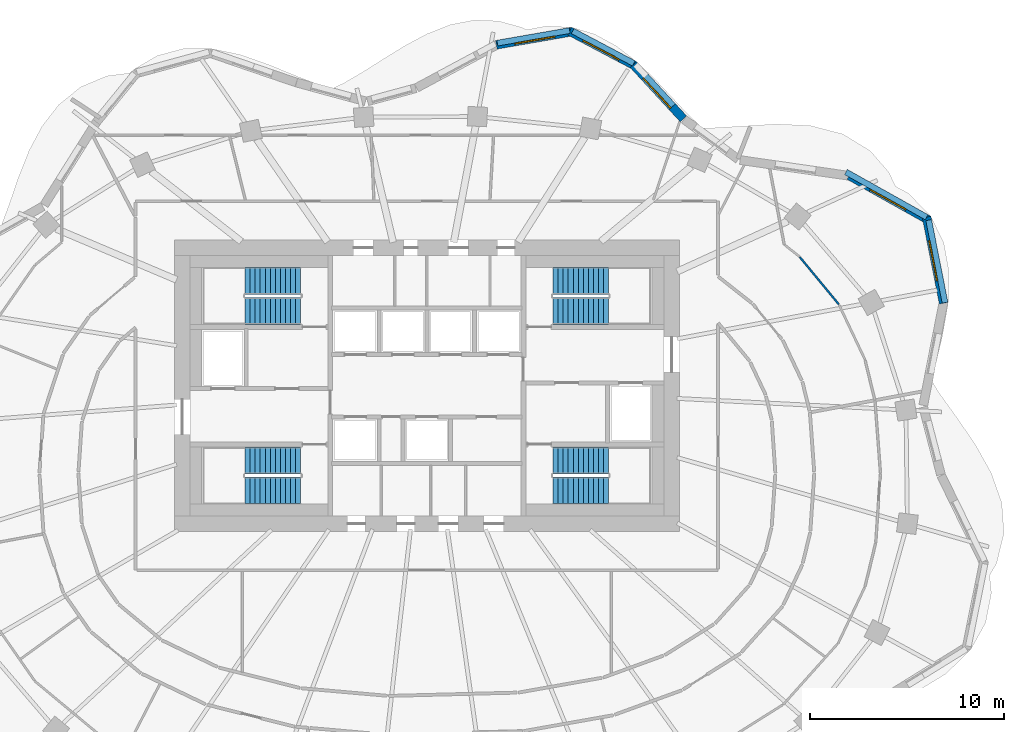
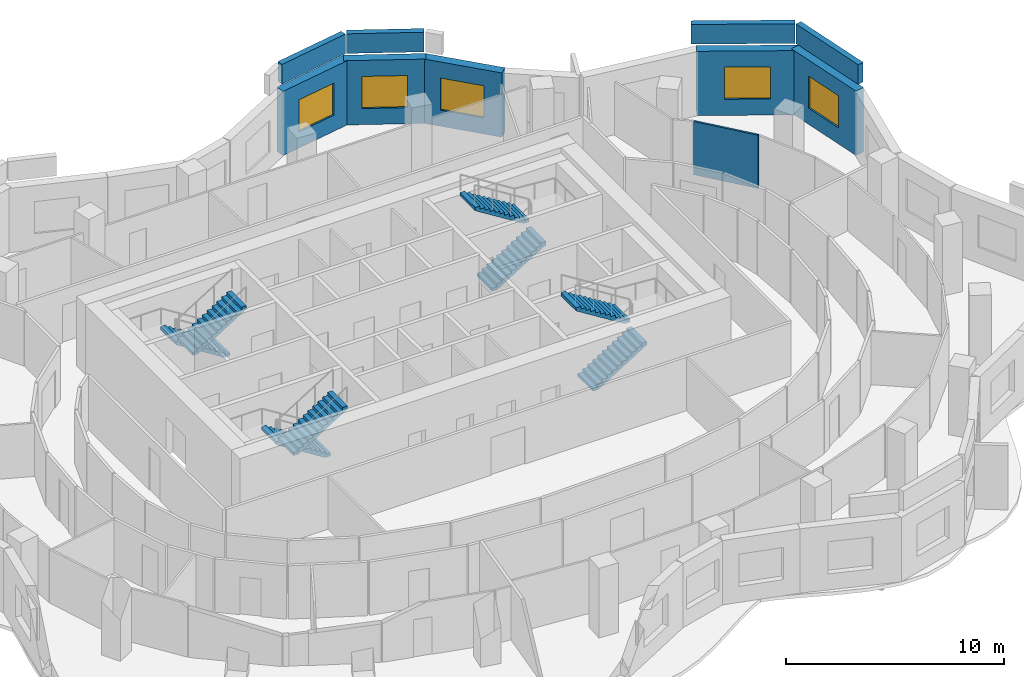
# One storey, part 9 of 10: 10 walls, 8 stair flights, 5 windows, 5 openings, 4 elements without a shape of their own.
"""IFC4 building model written with IfcOpenShell, lengths in metres."""

from ifc_helpers import new_model, si_unit, direction, frame, frame_2d, origin, place, context, subcontext, project, spatial, polyline, rectangle, outline, extrude, material, layer, layer_set, type_object, element, fill, aggregate, save


model = new_model("IFC4")

# Units and contexts
model_context = context("Model", 3, precision=1e-05, world=origin(), true_north=direction((0.0, 1.0)))
body_context = subcontext(model_context, "Body", "Model", "MODEL_VIEW")
ifc_project = project(units=[si_unit("LENGTHUNIT", "METRE"), si_unit("AREAUNIT", "SQUARE_METRE"), si_unit("VOLUMEUNIT", "CUBIC_METRE"), si_unit("PLANEANGLEUNIT", "RADIAN"), si_unit("MASSUNIT", "GRAM", prefix="KILO")], contexts=[model_context])

# Site, building, storey
site_placement = place(None, origin())
site = spatial("IfcSite", under=ifc_project, at=site_placement, CompositionType="ELEMENT")
building_placement = place(site_placement, origin())
building = spatial("IfcBuilding", under=site, at=building_placement, Name="Rubra Terraces Tower", CompositionType="ELEMENT")
storey_placement = place(building_placement, frame((0.0, 0.0, 213.0)))
storey = spatial("IfcBuildingStorey", under=building, at=storey_placement, Name="L52", CompositionType="ELEMENT", Elevation=213.0)

# Wall, opening, window
ifc_material_1 = material(Name="Brick masonry red-brown", Category="masonry")
ifc_layer_1 = layer(ifc_material_1, 0.449951171875)
ifc_layer_set_1 = layer_set([ifc_layer_1], Name="Brick masonry red-brown")
wall_type_1 = type_object("IfcWallType", Name="Brick facade wall 450", PredefinedType="SOLIDWALL", material=ifc_layer_set_1)
wall_1_placement = place(storey_placement, frame((26.609619140625, 8.747802734375, 0.0), z_axis=(0.0, 0.0, 1.0), x_axis=(-0.193923166402, 0.981016720312, 0.0)))
wall_1 = element("IfcWall", 1, at=wall_1_placement, inside=storey, type_object=wall_type_1, Name="Facade wall L52 bay 3", PredefinedType="SOLIDWALL", context=body_context, shape_type="SweptSolid", body=[
    extrude(rectangle(XDim=4.518310546875, YDim=0.449951171875, at=frame_2d((2.25927734375, 0.0))), origin(), (0.0, 0.0, 1.0), 3.60009765625),
])
opening_1_placement = place(wall_1_placement, frame((1.209228515625, 0.0, 0.89990234375)))
opening_1 = element("IfcOpeningElement", 2, at=opening_1_placement, cuts=wall_1, Name="Opening W1Z", PredefinedType="OPENING", context=body_context, shape_type="SweptSolid", body=[
    extrude(rectangle(XDim=2.10009765625, YDim=1.800048828125, at=frame_2d((1.050048828125, 0.89990234375))), frame((0.0, 0.23486328125, 0.0), z_axis=(0.0, -1.0, 0.0), x_axis=(1.0, 0.0, 0.0)), (0.0, 0.0, 1.0), 0.469970703125),
])
ifc_material_2 = material(Name="Clear glass in aluminium frame", Category="aluminium")
window_type = type_object("IfcWindowType", Name="Fixed deep-set window under transfer level 2100 x 1800", PartitioningType="SINGLE_PANEL", PredefinedType="WINDOW", material=ifc_material_2)
window_1_placement = place(opening_1_placement, origin())
window_1 = element("IfcWindow", 3, at=window_1_placement, inside=storey, type_object=window_type, Name="Window L52 bay 3", OverallHeight=1.800048828125, OverallWidth=2.10009765625, PartitioningType="SINGLE_PANEL", PredefinedType="WINDOW", context=body_context, shape_type="SweptSolid", body=[
    extrude(rectangle(XDim=2.10009765625, YDim=1.800048828125, at=frame_2d((1.050048828125, 0.89990234375))), frame((0.0, 0.135009765625, 0.0), z_axis=(0.0, -1.0, 0.0), x_axis=(1.0, 0.0, 0.0)), (0.0, 0.0, 1.0), 0.06005859375),
])
fill(opening_1, window_1)

wall_2_placement = place(storey_placement, frame((25.843994140625, 13.027587890625, 0.0), z_axis=(0.0, 0.0, 1.0), x_axis=(-0.872346398261, 0.488888291373, 0.0)))
wall_2 = element("IfcWall", 4, at=wall_2_placement, inside=storey, type_object=wall_type_1, Name="Facade wall L52 bay 4", PredefinedType="SOLIDWALL", context=body_context, shape_type="SweptSolid", body=[
    extrude(rectangle(XDim=4.696044921875, YDim=0.449951171875, at=frame_2d((2.34814453125, 0.0))), origin(), (0.0, 0.0, 1.0), 3.60009765625),
])
opening_2_placement = place(wall_2_placement, frame((1.298095703125, 0.0, 0.89990234375)))
opening_2 = element("IfcOpeningElement", 5, at=opening_2_placement, cuts=wall_2, Name="Opening W1Z", PredefinedType="OPENING", context=body_context, shape_type="SweptSolid", body=[
    extrude(rectangle(XDim=2.10009765625, YDim=1.800048828125, at=frame_2d((1.050048828125, 0.89990234375))), frame((0.0, 0.23486328125, 0.0), z_axis=(0.0, -1.0, 0.0), x_axis=(1.0, 0.0, 0.0)), (0.0, 0.0, 1.0), 0.469970703125),
])
window_2_placement = place(opening_2_placement, origin())
window_2 = element("IfcWindow", 6, at=window_2_placement, inside=storey, type_object=window_type, Name="Window L52 bay 4", OverallHeight=1.800048828125, OverallWidth=2.10009765625, PartitioningType="SINGLE_PANEL", PredefinedType="WINDOW", context=body_context, shape_type="SweptSolid", body=[
    extrude(rectangle(XDim=2.10009765625, YDim=1.800048828125, at=frame_2d((1.050048828125, 0.89990234375))), frame((0.0, 0.135009765625, 0.0), z_axis=(0.0, -1.0, 0.0), x_axis=(1.0, 0.0, 0.0)), (0.0, 0.0, 1.0), 0.06005859375),
])
fill(opening_2, window_2)

wall_3_placement = place(storey_placement, frame((13.20947265625, 18.242919921875, 0.0), z_axis=(0.0, 0.0, 1.0), x_axis=(-0.677612152497, 0.735419452278, 0.0)))
wall_3 = element("IfcWall", 7, at=wall_3_placement, inside=storey, type_object=wall_type_1, Name="Facade wall L52 bay 7", PredefinedType="SOLIDWALL", context=body_context, shape_type="SweptSolid", body=[
    extrude(rectangle(XDim=3.796875, YDim=0.449951171875, at=frame_2d((1.8984375, 0.0))), origin(), (0.0, 0.0, 1.0), 3.60009765625),
])
opening_3_placement = place(wall_3_placement, frame((0.848388671875, 0.0, 0.89990234375)))
opening_3 = element("IfcOpeningElement", 8, at=opening_3_placement, cuts=wall_3, Name="Opening W1Z", PredefinedType="OPENING", context=body_context, shape_type="SweptSolid", body=[
    extrude(rectangle(XDim=2.10009765625, YDim=1.800048828125, at=frame_2d((1.050048828125, 0.89990234375))), frame((0.0, 0.23486328125, 0.0), z_axis=(0.0, -1.0, 0.0), x_axis=(1.0, 0.0, 0.0)), (0.0, 0.0, 1.0), 0.469970703125),
])
window_3_placement = place(opening_3_placement, origin())
window_3 = element("IfcWindow", 9, at=window_3_placement, inside=storey, type_object=window_type, Name="Window L52 bay 7", OverallHeight=1.800048828125, OverallWidth=2.10009765625, PartitioningType="SINGLE_PANEL", PredefinedType="WINDOW", context=body_context, shape_type="SweptSolid", body=[
    extrude(rectangle(XDim=2.10009765625, YDim=1.800048828125, at=frame_2d((1.050048828125, 0.89990234375))), frame((0.0, 0.135009765625, 0.0), z_axis=(0.0, -1.0, 0.0), x_axis=(1.0, 0.0, 0.0)), (0.0, 0.0, 1.0), 0.06005859375),
])
fill(opening_3, window_3)

wall_4_placement = place(storey_placement, frame((10.692626953125, 20.9931640625, 0.0), z_axis=(0.0, 0.0, 1.0), x_axis=(-0.883817790726, 0.46783128668, 0.0)))
wall_4 = element("IfcWall", 10, at=wall_4_placement, inside=storey, type_object=wall_type_1, Name="Facade wall L52 bay 8", PredefinedType="SOLIDWALL", context=body_context, shape_type="SweptSolid", body=[
    extrude(rectangle(XDim=3.776611328125, YDim=0.449951171875, at=frame_2d((1.88818359375, 0.0))), origin(), (0.0, 0.0, 1.0), 3.60009765625),
])
opening_4_placement = place(wall_4_placement, frame((0.83837890625, 0.0, 0.89990234375)))
opening_4 = element("IfcOpeningElement", 11, at=opening_4_placement, cuts=wall_4, Name="Opening W1Z", PredefinedType="OPENING", context=body_context, shape_type="SweptSolid", body=[
    extrude(rectangle(XDim=2.10009765625, YDim=1.800048828125, at=frame_2d((1.050048828125, 0.89990234375))), frame((0.0, 0.23486328125, 0.0), z_axis=(0.0, -1.0, 0.0), x_axis=(1.0, 0.0, 0.0)), (0.0, 0.0, 1.0), 0.469970703125),
])
window_4_placement = place(opening_4_placement, origin())
window_4 = element("IfcWindow", 12, at=window_4_placement, inside=storey, type_object=window_type, Name="Window L52 bay 8", OverallHeight=1.800048828125, OverallWidth=2.10009765625, PartitioningType="SINGLE_PANEL", PredefinedType="WINDOW", context=body_context, shape_type="SweptSolid", body=[
    extrude(rectangle(XDim=2.10009765625, YDim=1.800048828125, at=frame_2d((1.050048828125, 0.89990234375))), frame((0.0, 0.135009765625, 0.0), z_axis=(0.0, -1.0, 0.0), x_axis=(1.0, 0.0, 0.0)), (0.0, 0.0, 1.0), 0.06005859375),
])
fill(opening_4, window_4)

wall_5_placement = place(storey_placement, frame((7.49853515625, 22.7373046875, 0.0), z_axis=(0.0, 0.0, 1.0), x_axis=(-0.98521220506, -0.171338585849, 0.0)))
wall_5 = element("IfcWall", 13, at=wall_5_placement, inside=storey, type_object=wall_type_1, Name="Facade wall L52 bay 9", PredefinedType="SOLIDWALL", context=body_context, shape_type="SweptSolid", body=[
    extrude(rectangle(XDim=3.979736328125, YDim=0.449951171875, at=frame_2d((1.98974609375, 0.0))), origin(), (0.0, 0.0, 1.0), 3.60009765625),
])
opening_5_placement = place(wall_5_placement, frame((0.93994140625, 0.0, 0.89990234375)))
opening_5 = element("IfcOpeningElement", 14, at=opening_5_placement, cuts=wall_5, Name="Opening W1Z", PredefinedType="OPENING", context=body_context, shape_type="SweptSolid", body=[
    extrude(rectangle(XDim=2.10009765625, YDim=1.800048828125, at=frame_2d((1.050048828125, 0.89990234375))), frame((0.0, 0.23486328125, 0.0), z_axis=(0.0, -1.0, 0.0), x_axis=(1.0, 0.0, 0.0)), (0.0, 0.0, 1.0), 0.469970703125),
])
window_5_placement = place(opening_5_placement, origin())
window_5 = element("IfcWindow", 15, at=window_5_placement, inside=storey, type_object=window_type, Name="Window L52 bay 9", OverallHeight=1.800048828125, OverallWidth=2.10009765625, PartitioningType="SINGLE_PANEL", PredefinedType="WINDOW", context=body_context, shape_type="SweptSolid", body=[
    extrude(rectangle(XDim=2.10009765625, YDim=1.800048828125, at=frame_2d((1.050048828125, 0.89990234375))), frame((0.0, 0.135009765625, 0.0), z_axis=(0.0, -1.0, 0.0), x_axis=(1.0, 0.0, 0.0)), (0.0, 0.0, 1.0), 0.06005859375),
])
fill(opening_5, window_5)

# Walls
ifc_layer_2 = layer(ifc_material_1, 0.300048828125)
ifc_layer_set_2 = layer_set([ifc_layer_2], Name="Brick masonry red-brown")
wall_type_2 = type_object("IfcWallType", Name="Brick parapet 300", PredefinedType="PARAPET", material=ifc_layer_set_2)
wall_6_placement = place(storey_placement, frame((26.6796875, 8.7802734375, 3.89990234375), z_axis=(0.0, 0.0, 1.0), x_axis=(-0.193937094138, 0.981013967035, 0.0)))
element("IfcWall", 16, at=wall_6_placement, inside=storey, type_object=wall_type_2, Name="Parapet L52 bay 3", PredefinedType="PARAPET", context=body_context, shape_type="SweptSolid", body=[
    extrude(rectangle(XDim=4.331787109375, YDim=0.300048828125, at=frame_2d((2.166015625, 0.0))), origin(), (0.0, 0.0, 1.0), 1.10009765625),
])
wall_7_placement = place(storey_placement, frame((25.733642578125, 13.175537109375, 3.89990234375), z_axis=(0.0, 0.0, 1.0), x_axis=(-0.872345142407, 0.488890532245, 0.0)))
element("IfcWall", 17, at=wall_7_placement, inside=storey, type_object=wall_type_2, Name="Parapet L52 bay 4", PredefinedType="PARAPET", context=body_context, shape_type="SweptSolid", body=[
    extrude(rectangle(XDim=4.762939453125, YDim=0.300048828125, at=frame_2d((2.38134765625, 0.0))), origin(), (0.0, 0.0, 1.0), 1.10009765625),
])
wall_8_placement = place(storey_placement, frame((10.656005859375, 21.097412109375, 3.89990234375), z_axis=(0.0, 0.0, 1.0), x_axis=(-0.883797916666, 0.467868830439, 0.0)))
element("IfcWall", 18, at=wall_8_placement, inside=storey, type_object=wall_type_2, Name="Parapet L52 bay 8", PredefinedType="PARAPET", context=body_context, shape_type="SweptSolid", body=[
    extrude(rectangle(XDim=3.56298828125, YDim=0.300048828125, at=frame_2d((1.781494140625, 0.0))), origin(), (0.0, 0.0, 1.0), 1.10009765625),
])
wall_9_placement = place(storey_placement, frame((7.35498046875, 22.78857421875, 3.89990234375), z_axis=(0.0, 0.0, 1.0), x_axis=(-0.985197529684, -0.171422949176, 0.0)))
element("IfcWall", 19, at=wall_9_placement, inside=storey, type_object=wall_type_2, Name="Parapet L52 bay 9", PredefinedType="PARAPET", context=body_context, shape_type="SweptSolid", body=[
    extrude(rectangle(XDim=3.77978515625, YDim=0.300048828125, at=frame_2d((1.889892578125, 0.0))), origin(), (0.0, 0.0, 1.0), 1.10009765625),
])
ifc_material_3 = material(Name="Plasterboard on steel stud", Category="steel")
ifc_layer_3 = layer(ifc_material_3, 0.10009765625)
ifc_layer_set_3 = layer_set([ifc_layer_3], Name="Plasterboard on steel stud")
wall_type_3 = type_object("IfcWallType", Name="ROOM PARTITION 100", PredefinedType="PARTITIONING", material=ifc_layer_set_3)
wall_10_placement = place(storey_placement, frame((19.20556640625, 11.12060546875, 0.0), z_axis=(0.0, 0.0, 1.0), x_axis=(0.636597206989, -0.771196470462, 0.0)))
element("IfcWall", 20, at=wall_10_placement, inside=storey, type_object=wall_type_3, Name="PARTITION", PredefinedType="PARTITIONING", context=body_context, shape_type="SweptSolid", body=[
    extrude(rectangle(XDim=3.15234375, YDim=0.10009765625, at=frame_2d((1.576171875, 0.0))), origin(), (0.0, 0.0, 1.0), 2.98388671875),
])

# Stair, stair flights
ifc_material_4 = material(Name="Concrete C40", Category="concrete")
stair_type = type_object("IfcStairType", Name="Core stair 1400", PredefinedType="HALF_TURN_STAIR", material=ifc_material_4)
stair_1_placement = place(storey_placement, origin())
stair_1 = element("IfcStair", 21, at=stair_1_placement, inside=storey, type_object=stair_type, Name="L52 Exit stair S1", PredefinedType="HALF_TURN_STAIR")
stair_flight_type = type_object("IfcStairFlightType", Name="Core stair flight 1400", PredefinedType="STRAIGHT", material=ifc_material_4)
stair_flight_1_placement = place(storey_placement, frame((-6.5, 0.64990234375, 0.0), z_axis=(0.0, 0.0, 1.0), x_axis=(-1.0, 0.0, 0.0)))
stair_flight_1 = element("IfcStairFlight", 22, at=stair_flight_1_placement, type_object=stair_flight_type, Name="S1 flight 1", NumberOfRisers=12, NumberOfTreads=11, PredefinedType="STRAIGHT", RiserHeight=0.1625, TreadLength=0.26, context=body_context, shape_type="SweptSolid", body=[
    extrude(outline(polyline([(0.0, 0.0), (0.0, 0.16259765625), (0.260009765625, 0.16259765625), (0.260009765625, 0.324951171875), (0.52001953125, 0.324951171875), (0.52001953125, 0.487548828125), (0.780029296875, 0.487548828125), (0.780029296875, 0.64990234375), (1.0400390625, 0.64990234375), (1.0400390625, 0.8125), (1.300048828125, 0.8125), (1.300048828125, 0.97509765625), (1.56005859375, 0.97509765625), (1.56005859375, 1.137451171875), (1.820068359375, 1.137451171875), (1.820068359375, 1.300048828125), (2.080078125, 1.300048828125), (2.080078125, 1.46240234375), (2.340087890625, 1.46240234375), (2.340087890625, 1.625), (2.60009765625, 1.625), (2.60009765625, 1.78759765625), (2.860107421875, 1.78759765625), (2.860107421875, 1.949951171875), (2.860107421875, 1.61083984375), (0.28271484375, 0.0), (0.0, 0.0)])), frame((0.0, 0.699951171875, 0.0), z_axis=(0.0, -1.0, 0.0), x_axis=(1.0, 0.0, 0.0)), (0.0, 0.0, 1.0), 1.39990234375),
])
stair_flight_2_placement = place(storey_placement, frame((-9.360107421875, -0.89990234375, 1.949951171875), z_axis=(0.0, 0.0, 1.0), x_axis=(1.0, 0.0, 0.0)))
stair_flight_2 = element("IfcStairFlight", 23, at=stair_flight_2_placement, type_object=stair_flight_type, Name="S1 flight 2", NumberOfRisers=12, NumberOfTreads=11, PredefinedType="STRAIGHT", RiserHeight=0.1625, TreadLength=0.26, context=body_context, shape_type="SweptSolid", body=[
    extrude(outline(polyline([(0.0, 0.0), (0.0, 0.16259765625), (0.260009765625, 0.16259765625), (0.260009765625, 0.324951171875), (0.52001953125, 0.324951171875), (0.52001953125, 0.487548828125), (0.780029296875, 0.487548828125), (0.780029296875, 0.64990234375), (1.0400390625, 0.64990234375), (1.0400390625, 0.8125), (1.300048828125, 0.8125), (1.300048828125, 0.97509765625), (1.56005859375, 0.97509765625), (1.56005859375, 1.137451171875), (1.820068359375, 1.137451171875), (1.820068359375, 1.300048828125), (2.080078125, 1.300048828125), (2.080078125, 1.46240234375), (2.340087890625, 1.46240234375), (2.340087890625, 1.625), (2.60009765625, 1.625), (2.60009765625, 1.78759765625), (2.860107421875, 1.78759765625), (2.860107421875, 1.949951171875), (2.860107421875, 1.61083984375), (0.28271484375, 0.0), (0.0, 0.0)])), frame((0.0, 0.699951171875, 0.0), z_axis=(0.0, -1.0, 0.0), x_axis=(1.0, 0.0, 0.0)), (0.0, 0.0, 1.0), 1.39990234375),
])
aggregate(stair_1, [stair_flight_1, stair_flight_2])

stair_2_placement = place(storey_placement, origin())
stair_2 = element("IfcStair", 24, at=stair_2_placement, inside=storey, type_object=stair_type, Name="L52 Exit stair S2", PredefinedType="HALF_TURN_STAIR")
stair_flight_3_placement = place(storey_placement, frame((-6.5, 9.89990234375, 0.0), z_axis=(0.0, 0.0, 1.0), x_axis=(-1.0, 0.0, 0.0)))
stair_flight_3 = element("IfcStairFlight", 25, at=stair_flight_3_placement, type_object=stair_flight_type, Name="S2 flight 1", NumberOfRisers=12, NumberOfTreads=11, PredefinedType="STRAIGHT", RiserHeight=0.1625, TreadLength=0.26, context=body_context, shape_type="SweptSolid", body=[
    extrude(outline(polyline([(0.0, 0.0), (0.0, 0.16259765625), (0.260009765625, 0.16259765625), (0.260009765625, 0.324951171875), (0.52001953125, 0.324951171875), (0.52001953125, 0.487548828125), (0.780029296875, 0.487548828125), (0.780029296875, 0.64990234375), (1.0400390625, 0.64990234375), (1.0400390625, 0.8125), (1.300048828125, 0.8125), (1.300048828125, 0.97509765625), (1.56005859375, 0.97509765625), (1.56005859375, 1.137451171875), (1.820068359375, 1.137451171875), (1.820068359375, 1.300048828125), (2.080078125, 1.300048828125), (2.080078125, 1.46240234375), (2.340087890625, 1.46240234375), (2.340087890625, 1.625), (2.60009765625, 1.625), (2.60009765625, 1.78759765625), (2.860107421875, 1.78759765625), (2.860107421875, 1.949951171875), (2.860107421875, 1.61083984375), (0.28271484375, 0.0), (0.0, 0.0)])), frame((0.0, 0.699951171875, 0.0), z_axis=(0.0, -1.0, 0.0), x_axis=(1.0, 0.0, 0.0)), (0.0, 0.0, 1.0), 1.39990234375),
])
stair_flight_4_placement = place(storey_placement, frame((-9.360107421875, 8.35009765625, 1.949951171875), z_axis=(0.0, 0.0, 1.0), x_axis=(1.0, 0.0, 0.0)))
stair_flight_4 = element("IfcStairFlight", 26, at=stair_flight_4_placement, type_object=stair_flight_type, Name="S2 flight 2", NumberOfRisers=12, NumberOfTreads=11, PredefinedType="STRAIGHT", RiserHeight=0.1625, TreadLength=0.26, context=body_context, shape_type="SweptSolid", body=[
    extrude(outline(polyline([(0.0, 0.0), (0.0, 0.16259765625), (0.260009765625, 0.16259765625), (0.260009765625, 0.324951171875), (0.52001953125, 0.324951171875), (0.52001953125, 0.487548828125), (0.780029296875, 0.487548828125), (0.780029296875, 0.64990234375), (1.0400390625, 0.64990234375), (1.0400390625, 0.8125), (1.300048828125, 0.8125), (1.300048828125, 0.97509765625), (1.56005859375, 0.97509765625), (1.56005859375, 1.137451171875), (1.820068359375, 1.137451171875), (1.820068359375, 1.300048828125), (2.080078125, 1.300048828125), (2.080078125, 1.46240234375), (2.340087890625, 1.46240234375), (2.340087890625, 1.625), (2.60009765625, 1.625), (2.60009765625, 1.78759765625), (2.860107421875, 1.78759765625), (2.860107421875, 1.949951171875), (2.860107421875, 1.61083984375), (0.28271484375, 0.0), (0.0, 0.0)])), frame((0.0, 0.699951171875, 0.0), z_axis=(0.0, -1.0, 0.0), x_axis=(1.0, 0.0, 0.0)), (0.0, 0.0, 1.0), 1.39990234375),
])
aggregate(stair_2, [stair_flight_3, stair_flight_4])

stair_3_placement = place(storey_placement, origin())
stair_3 = element("IfcStair", 27, at=stair_3_placement, inside=storey, type_object=stair_type, Name="L52 Exit stair S3", PredefinedType="HALF_TURN_STAIR")
stair_flight_5_placement = place(storey_placement, frame((6.5, 8.35009765625, 0.0), z_axis=(0.0, 0.0, 1.0), x_axis=(1.0, 0.0, 0.0)))
stair_flight_5 = element("IfcStairFlight", 28, at=stair_flight_5_placement, type_object=stair_flight_type, Name="S3 flight 1", NumberOfRisers=12, NumberOfTreads=11, PredefinedType="STRAIGHT", RiserHeight=0.1625, TreadLength=0.26, context=body_context, shape_type="SweptSolid", body=[
    extrude(outline(polyline([(0.0, 0.0), (0.0, 0.16259765625), (0.260009765625, 0.16259765625), (0.260009765625, 0.324951171875), (0.52001953125, 0.324951171875), (0.52001953125, 0.487548828125), (0.780029296875, 0.487548828125), (0.780029296875, 0.64990234375), (1.0400390625, 0.64990234375), (1.0400390625, 0.8125), (1.300048828125, 0.8125), (1.300048828125, 0.97509765625), (1.56005859375, 0.97509765625), (1.56005859375, 1.137451171875), (1.820068359375, 1.137451171875), (1.820068359375, 1.300048828125), (2.080078125, 1.300048828125), (2.080078125, 1.46240234375), (2.340087890625, 1.46240234375), (2.340087890625, 1.625), (2.60009765625, 1.625), (2.60009765625, 1.78759765625), (2.860107421875, 1.78759765625), (2.860107421875, 1.949951171875), (2.860107421875, 1.61083984375), (0.28271484375, 0.0), (0.0, 0.0)])), frame((0.0, 0.699951171875, 0.0), z_axis=(0.0, -1.0, 0.0), x_axis=(1.0, 0.0, 0.0)), (0.0, 0.0, 1.0), 1.39990234375),
])
stair_flight_6_placement = place(storey_placement, frame((9.360107421875, 9.89990234375, 1.949951171875), z_axis=(0.0, 0.0, 1.0), x_axis=(-1.0, 0.0, 0.0)))
stair_flight_6 = element("IfcStairFlight", 29, at=stair_flight_6_placement, type_object=stair_flight_type, Name="S3 flight 2", NumberOfRisers=12, NumberOfTreads=11, PredefinedType="STRAIGHT", RiserHeight=0.1625, TreadLength=0.26, context=body_context, shape_type="SweptSolid", body=[
    extrude(outline(polyline([(0.0, 0.0), (0.0, 0.16259765625), (0.260009765625, 0.16259765625), (0.260009765625, 0.324951171875), (0.52001953125, 0.324951171875), (0.52001953125, 0.487548828125), (0.780029296875, 0.487548828125), (0.780029296875, 0.64990234375), (1.0400390625, 0.64990234375), (1.0400390625, 0.8125), (1.300048828125, 0.8125), (1.300048828125, 0.97509765625), (1.56005859375, 0.97509765625), (1.56005859375, 1.137451171875), (1.820068359375, 1.137451171875), (1.820068359375, 1.300048828125), (2.080078125, 1.300048828125), (2.080078125, 1.46240234375), (2.340087890625, 1.46240234375), (2.340087890625, 1.625), (2.60009765625, 1.625), (2.60009765625, 1.78759765625), (2.860107421875, 1.78759765625), (2.860107421875, 1.949951171875), (2.860107421875, 1.61083984375), (0.28271484375, 0.0), (0.0, 0.0)])), frame((0.0, 0.699951171875, 0.0), z_axis=(0.0, -1.0, 0.0), x_axis=(1.0, 0.0, 0.0)), (0.0, 0.0, 1.0), 1.39990234375),
])
aggregate(stair_3, [stair_flight_5, stair_flight_6])

stair_4_placement = place(storey_placement, origin())
stair_4 = element("IfcStair", 30, at=stair_4_placement, inside=storey, type_object=stair_type, Name="L52 Exit stair S4", PredefinedType="HALF_TURN_STAIR")
stair_flight_7_placement = place(storey_placement, frame((6.5, -0.89990234375, 0.0), z_axis=(0.0, 0.0, 1.0), x_axis=(1.0, 0.0, 0.0)))
stair_flight_7 = element("IfcStairFlight", 31, at=stair_flight_7_placement, type_object=stair_flight_type, Name="S4 flight 1", NumberOfRisers=12, NumberOfTreads=11, PredefinedType="STRAIGHT", RiserHeight=0.1625, TreadLength=0.26, context=body_context, shape_type="SweptSolid", body=[
    extrude(outline(polyline([(0.0, 0.0), (0.0, 0.16259765625), (0.260009765625, 0.16259765625), (0.260009765625, 0.324951171875), (0.52001953125, 0.324951171875), (0.52001953125, 0.487548828125), (0.780029296875, 0.487548828125), (0.780029296875, 0.64990234375), (1.0400390625, 0.64990234375), (1.0400390625, 0.8125), (1.300048828125, 0.8125), (1.300048828125, 0.97509765625), (1.56005859375, 0.97509765625), (1.56005859375, 1.137451171875), (1.820068359375, 1.137451171875), (1.820068359375, 1.300048828125), (2.080078125, 1.300048828125), (2.080078125, 1.46240234375), (2.340087890625, 1.46240234375), (2.340087890625, 1.625), (2.60009765625, 1.625), (2.60009765625, 1.78759765625), (2.860107421875, 1.78759765625), (2.860107421875, 1.949951171875), (2.860107421875, 1.61083984375), (0.28271484375, 0.0), (0.0, 0.0)])), frame((0.0, 0.699951171875, 0.0), z_axis=(0.0, -1.0, 0.0), x_axis=(1.0, 0.0, 0.0)), (0.0, 0.0, 1.0), 1.39990234375),
])
stair_flight_8_placement = place(storey_placement, frame((9.360107421875, 0.64990234375, 1.949951171875), z_axis=(0.0, 0.0, 1.0), x_axis=(-1.0, 0.0, 0.0)))
stair_flight_8 = element("IfcStairFlight", 32, at=stair_flight_8_placement, type_object=stair_flight_type, Name="S4 flight 2", NumberOfRisers=12, NumberOfTreads=11, PredefinedType="STRAIGHT", RiserHeight=0.1625, TreadLength=0.26, context=body_context, shape_type="SweptSolid", body=[
    extrude(outline(polyline([(0.0, 0.0), (0.0, 0.16259765625), (0.260009765625, 0.16259765625), (0.260009765625, 0.324951171875), (0.52001953125, 0.324951171875), (0.52001953125, 0.487548828125), (0.780029296875, 0.487548828125), (0.780029296875, 0.64990234375), (1.0400390625, 0.64990234375), (1.0400390625, 0.8125), (1.300048828125, 0.8125), (1.300048828125, 0.97509765625), (1.56005859375, 0.97509765625), (1.56005859375, 1.137451171875), (1.820068359375, 1.137451171875), (1.820068359375, 1.300048828125), (2.080078125, 1.300048828125), (2.080078125, 1.46240234375), (2.340087890625, 1.46240234375), (2.340087890625, 1.625), (2.60009765625, 1.625), (2.60009765625, 1.78759765625), (2.860107421875, 1.78759765625), (2.860107421875, 1.949951171875), (2.860107421875, 1.61083984375), (0.28271484375, 0.0), (0.0, 0.0)])), frame((0.0, 0.699951171875, 0.0), z_axis=(0.0, -1.0, 0.0), x_axis=(1.0, 0.0, 0.0)), (0.0, 0.0, 1.0), 1.39990234375),
])
aggregate(stair_4, [stair_flight_7, stair_flight_8])

save(model, "model.ifc")
